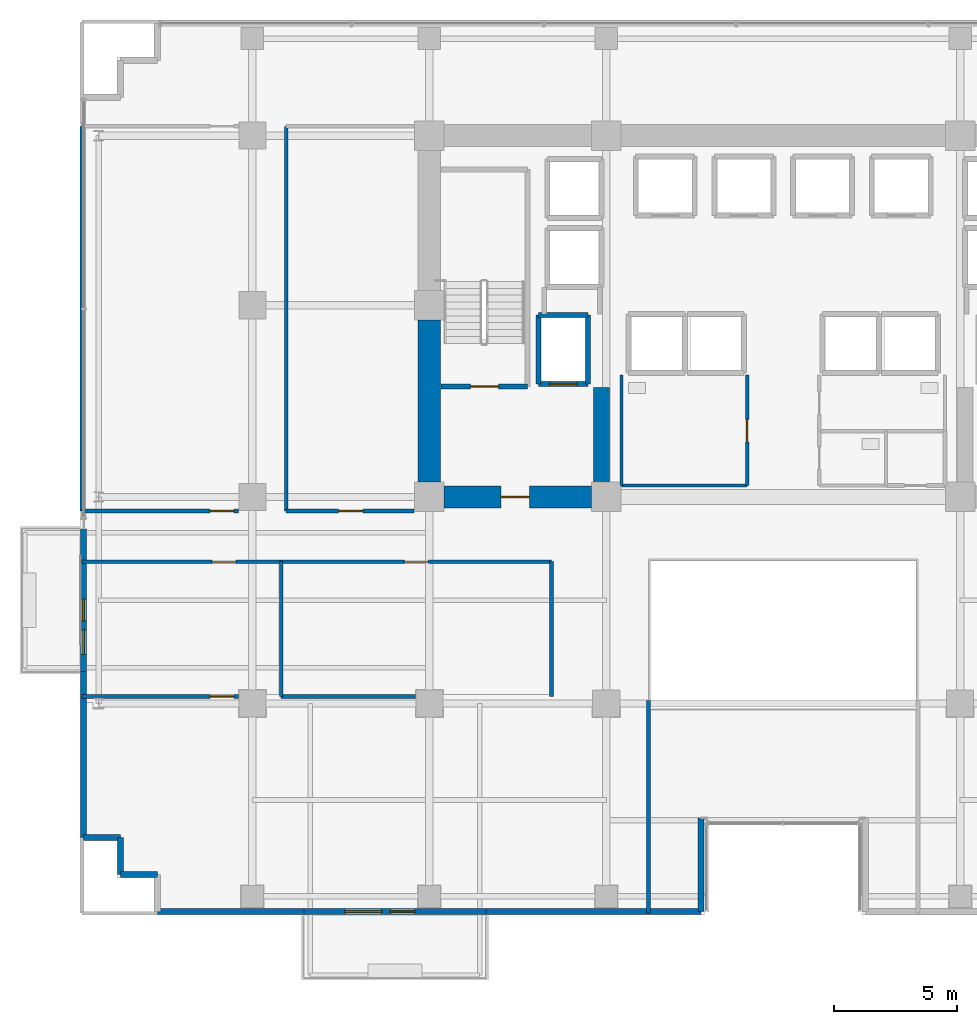
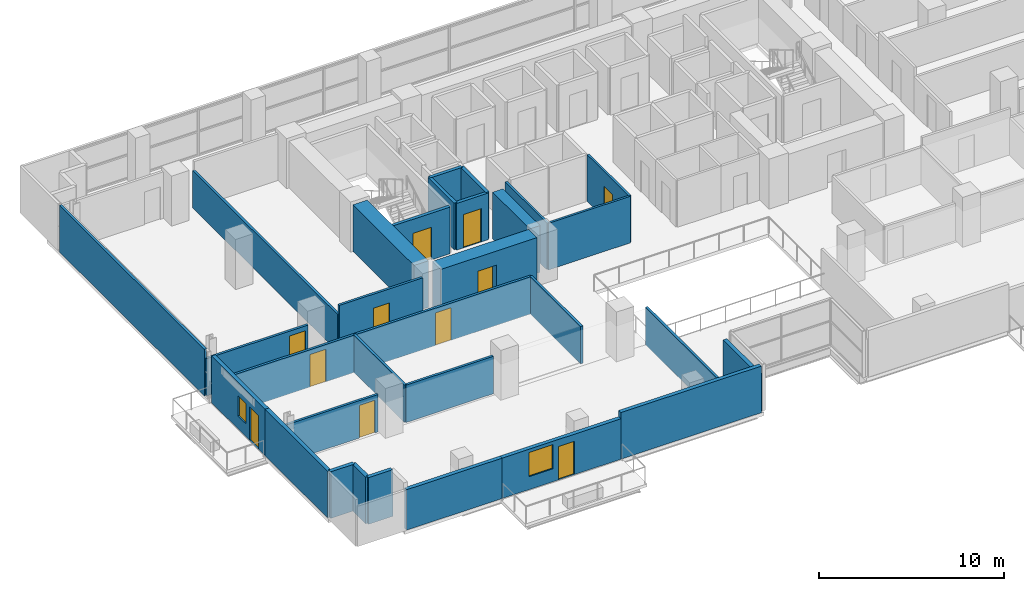
# One storey, part 24 of 32: 31 walls, 11 doors, 2 windows, 13 openings.
"""IFC4 building model written with IfcOpenShell, lengths in metres."""

from ifc_helpers import new_model, si_unit, direction, frame, frame_2d, origin, place, context, subcontext, project, spatial, rectangle, extrude, source, transform, mapped, material, layer, layer_set, type_object, element, fill, save


model = new_model("IFC4")

# Units and contexts
model_context = context("Model", 3, precision=1e-05, world=origin(), true_north=direction((0.0, 1.0)))
body_context = subcontext(model_context, "Body", "Model", "MODEL_VIEW")
ifc_project = project(units=[si_unit("LENGTHUNIT", "METRE"), si_unit("AREAUNIT", "SQUARE_METRE"), si_unit("VOLUMEUNIT", "CUBIC_METRE"), si_unit("PLANEANGLEUNIT", "RADIAN"), si_unit("MASSUNIT", "GRAM", prefix="KILO")], contexts=[model_context])

# Site, building, storey
site_placement = place(None, origin())
site = spatial("IfcSite", under=ifc_project, at=site_placement, CompositionType="ELEMENT")
building_placement = place(site_placement, origin())
building = spatial("IfcBuilding", under=site, at=building_placement, Name="Zarnakvel Exchange Tower", CompositionType="ELEMENT")
storey_placement = place(building_placement, frame((0.0, 0.0, 73.60009765625)))
storey = spatial("IfcBuildingStorey", under=building, at=storey_placement, Name="L20", CompositionType="ELEMENT", Elevation=73.60009765625)

# Wall
ifc_material_1 = material(Name="Concrete C80/95", Category="concrete")
ifc_layer_1 = layer(ifc_material_1, 0.89990234375)
ifc_layer_set_1 = layer_set([ifc_layer_1], Name="Concrete C80/95")
wall_type_1 = type_object("IfcWallType", Name="CW-C1", PredefinedType="SHEAR", material=ifc_layer_set_1)
wall_1_placement = place(storey_placement, frame((-14.39990234375, -0.60009765625, 0.0), z_axis=(0.0, 0.0, 1.0), x_axis=(0.0, 1.0, 0.0)))
element("IfcWall", 1, at=wall_1_placement, inside=storey, type_object=wall_type_1, Name="L20 Rear Core Shear Wall W1 (CW-C1)", PredefinedType="SHEAR", context=body_context, shape_type="SweptSolid", body=[
    extrude(rectangle(XDim=6.60009765625, YDim=0.89990234375, at=frame_2d((3.300048828125, 0.0))), origin(), (0.0, 0.0, 1.0), 3.074951171875),
])

# Wall, opening, door
wall_2_placement = place(storey_placement, frame((-7.800048828125, -1.199951171875, 0.0), z_axis=(0.0, 0.0, 1.0), x_axis=(-1.0, 0.0, 0.0)))
wall_2 = element("IfcWall", 2, at=wall_2_placement, inside=storey, type_object=wall_type_1, Name="L20 Rear Core Shear Wall SW (CW-C1)", PredefinedType="SHEAR", context=body_context, shape_type="SweptSolid", body=[
    extrude(rectangle(XDim=6.0, YDim=0.89990234375, at=frame_2d((3.0, 0.0))), origin(), (0.0, 0.0, 1.0), 3.074951171875),
])
opening_1_placement = place(wall_2_placement, frame((2.52490234375, 0.0, 0.0)))
opening_1 = element("IfcOpeningElement", 3, at=opening_1_placement, cuts=wall_2, Name="Opening D-L20-03", PredefinedType="OPENING", context=body_context, shape_type="SweptSolid", body=[
    extrude(rectangle(XDim=1.14990234375, YDim=2.14990234375, at=frame_2d((0.574951171875, 1.074951171875))), frame((0.0, 0.4599609375, 0.0), z_axis=(0.0, -1.0, 0.0), x_axis=(1.0, 0.0, 0.0)), (0.0, 0.0, 1.0), 0.919921875),
])
ifc_material_2 = material(Name="Painted Galvanised Steel S355", Category="steel")
door_type_1 = type_object("IfcDoorType", Name="DT-04", OperationType="NOTDEFINED", PredefinedType="DOOR", material=ifc_material_2)
shared_shape_1 = source(origin(), body_context, "Body", "SweptSolid", [
    extrude(rectangle(XDim=1.14990234375, YDim=2.14990234375, at=frame_2d((0.574951171875, 1.074951171875))), frame((0.0, 0.02490234375, 0.0), z_axis=(0.0, -1.0, 0.0), x_axis=(1.0, 0.0, 0.0)), (0.0, 0.0, 1.0), 0.050048828125),
])
door_1_placement = place(opening_1_placement, origin())
door_1 = element("IfcDoor", 4, at=door_1_placement, inside=storey, type_object=door_type_1, Name="L20 Firefighting Lobby West Door D-L20-03", OperationType="SINGLE_SWING_LEFT", OverallHeight=2.14990234375, OverallWidth=1.14990234375, PredefinedType="DOOR", context=body_context, shape_type="MappedRepresentation", body=[
    mapped(shared_shape_1, transform((0.0, 0.0, 0.0), x_axis=(1.0, 0.0, 0.0), y_axis=(0.0, 1.0, 0.0), z_axis=(0.0, 0.0, 1.0), scale=1.0)),
])
fill(opening_1, door_1)

# Wall
ifc_layer_2 = layer(ifc_material_1, 0.64990234375)
ifc_layer_set_2 = layer_set([ifc_layer_2], Name="Concrete C80/95")
wall_type_2 = type_object("IfcWallType", Name="CW-C2", PredefinedType="SHEAR", material=ifc_layer_set_2)
wall_3_placement = place(storey_placement, frame((-7.39990234375, -0.75, 0.0), z_axis=(0.0, 0.0, 1.0), x_axis=(0.0, 1.0, 0.0)))
element("IfcWall", 5, at=wall_3_placement, inside=storey, type_object=wall_type_2, Name="L20 Rear Core Shear Wall IW (CW-C2)", PredefinedType="SHEAR", context=body_context, shape_type="SweptSolid", body=[
    extrude(rectangle(XDim=4.0, YDim=0.64990234375, at=frame_2d((2.0, 0.0))), origin(), (0.0, 0.0, 1.0), 3.074951171875),
])

# Wall, openings, door, window
ifc_material_3 = material(Name="Precast concrete C40/50", Category="concrete")
ifc_layer_3 = layer(ifc_material_3, 0.239990234375)
ifc_layer_set_3 = layer_set([ifc_layer_3], Name="Precast concrete C40/50")
wall_type_3 = type_object("IfcWallType", Name="EW-02", PredefinedType="SOLIDWALL", material=ifc_layer_set_3)
wall_4_placement = place(storey_placement, frame((-12.10009765625, -18.06005859375, 0.0), z_axis=(0.0, 0.0, 1.0), x_axis=(-1.0, 0.0, 0.0)))
wall_4 = element("IfcWall", 6, at=wall_4_placement, inside=storey, type_object=wall_type_3, Name="L20 Exterior Precast Spandrel Wall EW-BAL-L20-SW (EW-02)", PredefinedType="SOLIDWALL", context=body_context, shape_type="SweptSolid", body=[
    extrude(rectangle(XDim=7.39990234375, YDim=0.239990234375, at=frame_2d((3.699951171875, 0.0))), origin(), (0.0, 0.0, 1.0), 2.664794921875),
])
opening_2_placement = place(wall_4_placement, frame((2.885986328125, 0.0, 0.0)))
opening_2 = element("IfcOpeningElement", 7, at=opening_2_placement, cuts=wall_4, Name="Opening BD-L20-01", PredefinedType="OPENING", context=body_context, shape_type="SweptSolid", body=[
    extrude(rectangle(XDim=1.0, YDim=2.199951171875, at=frame_2d((0.5, 1.10009765625))), frame((0.0, 0.1298828125, 0.0), z_axis=(0.0, -1.0, 0.0), x_axis=(1.0, 0.0, 0.0)), (0.0, 0.0, 1.0), 0.260009765625),
])
opening_3_placement = place(wall_4_placement, frame((4.236083984375, 0.0, 0.85009765625)))
opening_3 = element("IfcOpeningElement", 8, at=opening_3_placement, cuts=wall_4, Name="Opening WN-03", PredefinedType="OPENING", context=body_context, shape_type="SweptSolid", body=[
    extrude(rectangle(XDim=1.5, YDim=1.60009765625, at=frame_2d((0.75, 0.800048828125))), frame((0.0, 0.1298828125, 0.0), z_axis=(0.0, -1.0, 0.0), x_axis=(1.0, 0.0, 0.0)), (0.0, 0.0, 1.0), 0.260009765625),
])
ifc_material_4 = material(Name="Architectural Bronze Anodised Aluminium", Category="aluminium")
door_type_2 = type_object("IfcDoorType", Name="DT-09", OperationType="NOTDEFINED", PredefinedType="DOOR", material=ifc_material_4)
shared_shape_2 = source(origin(), body_context, "Body", "SweptSolid", [
    extrude(rectangle(XDim=1.0, YDim=2.199951171875, at=frame_2d((0.5, 1.10009765625))), frame((0.0, 0.02490234375, 0.0), z_axis=(0.0, -1.0, 0.0), x_axis=(1.0, 0.0, 0.0)), (0.0, 0.0, 1.0), 0.050048828125),
])
door_2_placement = place(opening_2_placement, origin())
door_2 = element("IfcDoor", 9, at=door_2_placement, inside=storey, type_object=door_type_2, Name="L20 Planted Loggia Balcony Door BD-L20-01", OperationType="SINGLE_SWING_RIGHT", OverallHeight=2.199951171875, OverallWidth=1.0, PredefinedType="DOOR", context=body_context, shape_type="MappedRepresentation", body=[
    mapped(shared_shape_2, transform((0.0, 0.0, 0.0), x_axis=(1.0, 0.0, 0.0), y_axis=(0.0, 1.0, 0.0), z_axis=(0.0, 0.0, 1.0), scale=1.0)),
])
fill(opening_2, door_2)
ifc_material_5 = material(Name="Double Low-E Laminated Vision Glass", Category="glass")
window_type_1 = type_object("IfcWindowType", Name="WN-03", PartitioningType="SINGLE_PANEL", PredefinedType="WINDOW", material=ifc_material_5)
shared_shape_3 = source(origin(), body_context, "Body", "SweptSolid", [
    extrude(rectangle(XDim=1.5, YDim=1.60009765625, at=frame_2d((0.75, 0.800048828125))), frame((0.0, 0.030029296875, 0.0), z_axis=(0.0, -1.0, 0.0), x_axis=(1.0, 0.0, 0.0)), (0.0, 0.0, 1.0), 0.06005859375),
])
window_1_placement = place(opening_3_placement, origin())
window_1 = element("IfcWindow", 10, at=window_1_placement, inside=storey, type_object=window_type_1, Name="L20 Loggia Daylight Window (WN-03)", OverallHeight=1.60009765625, OverallWidth=1.5, PartitioningType="SINGLE_PANEL", PredefinedType="WINDOW", context=body_context, shape_type="MappedRepresentation", body=[
    mapped(shared_shape_3, transform((0.0, 0.0, 0.0), x_axis=(1.0, 0.0, 0.0), y_axis=(0.0, 1.0, 0.0), z_axis=(0.0, 0.0, 1.0), scale=1.0)),
])
fill(opening_3, window_1)

wall_5_placement = place(storey_placement, frame((-28.4599609375, -8.300048828125, 0.0), z_axis=(0.0, 0.0, 1.0), x_axis=(0.0, 1.0, 0.0)))
wall_5 = element("IfcWall", 11, at=wall_5_placement, inside=storey, type_object=wall_type_3, Name="L20 Exterior Precast Spandrel Wall EW-BAL-L20-W (EW-02)", PredefinedType="SOLIDWALL", context=body_context, shape_type="SweptSolid", body=[
    extrude(rectangle(XDim=5.800048828125, YDim=0.239990234375, at=frame_2d((2.89990234375, 0.0))), origin(), (0.0, 0.0, 1.0), 3.074951171875),
])
opening_4_placement = place(wall_5_placement, frame((0.696044921875, 0.0, 0.0)))
opening_4 = element("IfcOpeningElement", 12, at=opening_4_placement, cuts=wall_5, Name="Opening BD-L20-03", PredefinedType="OPENING", context=body_context, shape_type="SweptSolid", body=[
    extrude(rectangle(XDim=1.0, YDim=2.199951171875, at=frame_2d((0.5, 1.10009765625))), frame((0.0, 0.1298828125, 0.0), z_axis=(0.0, -1.0, 0.0), x_axis=(1.0, 0.0, 0.0)), (0.0, 0.0, 1.0), 0.260009765625),
])
opening_5_placement = place(wall_5_placement, frame((2.0458984375, 0.0, 0.85009765625)))
opening_5 = element("IfcOpeningElement", 13, at=opening_5_placement, cuts=wall_5, Name="Opening WN-06", PredefinedType="OPENING", context=body_context, shape_type="SweptSolid", body=[
    extrude(rectangle(XDim=0.89990234375, YDim=1.35009765625, at=frame_2d((0.449951171875, 0.675048828125))), frame((0.0, 0.1298828125, 0.0), z_axis=(0.0, -1.0, 0.0), x_axis=(1.0, 0.0, 0.0)), (0.0, 0.0, 1.0), 0.260009765625),
])
door_3_placement = place(opening_4_placement, origin())
door_3 = element("IfcDoor", 14, at=door_3_placement, inside=storey, type_object=door_type_2, Name="L20 Planted Loggia Balcony Door BD-L20-03", OperationType="SINGLE_SWING_RIGHT", OverallHeight=2.199951171875, OverallWidth=1.0, PredefinedType="DOOR", context=body_context, shape_type="MappedRepresentation", body=[
    mapped(shared_shape_2, transform((0.0, 0.0, 0.0), x_axis=(1.0, 0.0, 0.0), y_axis=(0.0, 1.0, 0.0), z_axis=(0.0, 0.0, 1.0), scale=1.0)),
])
fill(opening_4, door_3)
window_type_2 = type_object("IfcWindowType", Name="WN-06", PartitioningType="SINGLE_PANEL", PredefinedType="WINDOW", material=ifc_material_5)
shared_shape_4 = source(origin(), body_context, "Body", "SweptSolid", [
    extrude(rectangle(XDim=0.89990234375, YDim=1.35009765625, at=frame_2d((0.449951171875, 0.675048828125))), frame((0.0, 0.030029296875, 0.0), z_axis=(0.0, -1.0, 0.0), x_axis=(1.0, 0.0, 0.0)), (0.0, 0.0, 1.0), 0.06005859375),
])
window_2_placement = place(opening_5_placement, origin())
window_2 = element("IfcWindow", 15, at=window_2_placement, inside=storey, type_object=window_type_2, Name="L20 Loggia Daylight Window (WN-06)", OverallHeight=1.35009765625, OverallWidth=0.89990234375, PartitioningType="SINGLE_PANEL", PredefinedType="WINDOW", context=body_context, shape_type="MappedRepresentation", body=[
    mapped(shared_shape_4, transform((0.0, 0.0, 0.0), x_axis=(1.0, 0.0, 0.0), y_axis=(0.0, 1.0, 0.0), z_axis=(0.0, 0.0, 1.0), scale=1.0)),
])
fill(opening_5, window_2)

# Walls
wall_6_placement = place(storey_placement, frame((-28.4599609375, -8.300048828125, 0.0), z_axis=(0.0, 0.0, 1.0), x_axis=(0.0, -1.0, 0.0)))
element("IfcWall", 16, at=wall_6_placement, inside=storey, type_object=wall_type_3, Name="L20 Exterior Precast Spandrel Wall EWC-L20-01 (EW-02)", PredefinedType="SOLIDWALL", context=body_context, shape_type="SweptSolid", body=[
    extrude(rectangle(XDim=6.760009765625, YDim=0.239990234375, at=frame_2d((3.3798828125, 0.0))), origin(), (0.0, 0.0, 1.0), 3.074951171875),
])
wall_7_placement = place(storey_placement, frame((-3.340087890625, -18.06005859375, 0.0), z_axis=(0.0, 0.0, 1.0), x_axis=(0.0, 1.0, 0.0)))
element("IfcWall", 17, at=wall_7_placement, inside=storey, type_object=wall_type_3, Name="L20 Exterior Precast Spandrel Wall EWC-L20-20 (EW-02)", PredefinedType="SOLIDWALL", context=body_context, shape_type="SweptSolid", body=[
    extrude(rectangle(XDim=3.800048828125, YDim=0.239990234375, at=frame_2d((1.89990234375, 0.0))), origin(), (0.0, 0.0, 1.0), 2.46484375),
])
wall_8_placement = place(storey_placement, frame((-12.10009765625, -18.06005859375, 0.0), z_axis=(0.0, 0.0, 1.0), x_axis=(1.0, 0.0, 0.0)))
element("IfcWall", 18, at=wall_8_placement, inside=storey, type_object=wall_type_3, Name="L20 Exterior Precast Spandrel Wall EWC-L20-21 (EW-02)", PredefinedType="SOLIDWALL", context=body_context, shape_type="SweptSolid", body=[
    extrude(rectangle(XDim=8.760009765625, YDim=0.239990234375, at=frame_2d((4.3798828125, 0.0))), origin(), (0.0, 0.0, 1.0), 3.074951171875),
])
wall_9_placement = place(storey_placement, frame((-25.4599609375, -18.06005859375, 0.0), z_axis=(0.0, 0.0, 1.0), x_axis=(1.0, 0.0, 0.0)))
element("IfcWall", 19, at=wall_9_placement, inside=storey, type_object=wall_type_3, Name="L20 Exterior Precast Spandrel Wall EWC-L20-22 (EW-02)", PredefinedType="SOLIDWALL", context=body_context, shape_type="SweptSolid", body=[
    extrude(rectangle(XDim=5.9599609375, YDim=0.239990234375, at=frame_2d((2.97998046875, 0.0))), origin(), (0.0, 0.0, 1.0), 2.664794921875),
])
for number, where, z_axis, x_axis, name in (
    (20, (-26.9599609375, -16.56005859375, 0.0), (0.0, 0.0, 1.0), (1.0, 0.0, 0.0), "L20 Exterior Precast Spandrel Wall EWC-L20-24 (EW-02)"),
    (21, (-26.9599609375, -15.06005859375, 0.0), (0.0, 0.0, 1.0), (0.0, -1.0, 0.0), "L20 Exterior Precast Spandrel Wall EWC-L20-25 (EW-02)"),
    (22, (-28.4599609375, -15.06005859375, 0.0), (0.0, 0.0, 1.0), (1.0, 0.0, 0.0), "L20 Exterior Precast Spandrel Wall EWC-L20-26 (EW-02)"),
):
    element("IfcWall", number, at=place(storey_placement, frame(where, z_axis=z_axis, x_axis=x_axis)), inside=storey, type_object=wall_type_3, Name=name, PredefinedType="SOLIDWALL", context=body_context, shape_type="SweptSolid", body=[
        extrude(rectangle(XDim=1.5, YDim=0.239990234375, at=frame_2d((0.75, 0.0))), origin(), (0.0, 0.0, 1.0), 3.074951171875),
    ])

# Wall, opening, door
ifc_material_6 = material(Name="Fire-Rated Gypsum Stud Partition", Category="gypsum")
ifc_layer_4 = layer(ifc_material_6, 0.14990234375)
ifc_layer_set_4 = layer_set([ifc_layer_4], Name="Fire-Rated Gypsum Stud Partition")
wall_type_4 = type_object("IfcWallType", Name="PT-01", PredefinedType="PARTITIONING", material=ifc_layer_set_4)
wall_10_placement = place(storey_placement, frame((-22.169921875, -9.320068359375, 0.0), z_axis=(0.0, 0.0, 1.0), x_axis=(-1.0, 0.0, 0.0)))
wall_10 = element("IfcWall", 23, at=wall_10_placement, inside=storey, type_object=wall_type_4, Name="L20 Partition Wall PWALL-L20-022 (PT-01)", PredefinedType="PARTITIONING", context=body_context, shape_type="SweptSolid", body=[
    extrude(rectangle(XDim=6.360107421875, YDim=0.14990234375, at=frame_2d((3.18017578125, 0.0))), origin(), (0.0, 0.0, 1.0), 2.46484375),
])
opening_6_placement = place(wall_10_placement, frame((0.179931640625, 0.0, 0.0)))
opening_6 = element("IfcOpeningElement", 24, at=opening_6_placement, cuts=wall_10, Name="Opening D-L20-11", PredefinedType="OPENING", context=body_context, shape_type="SweptSolid", body=[
    extrude(rectangle(XDim=0.97998046875, YDim=2.14990234375, at=frame_2d((0.489990234375, 1.074951171875))), frame((0.0, 0.0849609375, 0.0), z_axis=(0.0, -1.0, 0.0), x_axis=(1.0, 0.0, 0.0)), (0.0, 0.0, 1.0), 0.169921875),
])
ifc_material_7 = material(Name="Timber Acoustic Veneer", Category="wood")
door_type_3 = type_object("IfcDoorType", Name="DT-05", OperationType="NOTDEFINED", PredefinedType="DOOR", material=ifc_material_7)
shared_shape_5 = source(origin(), body_context, "Body", "SweptSolid", [
    extrude(rectangle(XDim=0.97998046875, YDim=2.14990234375, at=frame_2d((0.489990234375, 1.074951171875))), frame((0.0, 0.02490234375, 0.0), z_axis=(0.0, -1.0, 0.0), x_axis=(1.0, 0.0, 0.0)), (0.0, 0.0, 1.0), 0.050048828125),
])
door_4_placement = place(opening_6_placement, origin())
door_4 = element("IfcDoor", 25, at=door_4_placement, inside=storey, type_object=door_type_3, Name="L20 Sovereign Wealth Office Door D-L20-11", OperationType="SINGLE_SWING_LEFT", OverallHeight=2.14990234375, OverallWidth=0.97998046875, PredefinedType="DOOR", context=body_context, shape_type="MappedRepresentation", body=[
    mapped(shared_shape_5, transform((0.0, 0.0, 0.0), x_axis=(1.0, 0.0, 0.0), y_axis=(0.0, 1.0, 0.0), z_axis=(0.0, 0.0, 1.0), scale=1.0)),
])
fill(opening_6, door_4)

wall_11_placement = place(storey_placement, frame((-28.530029296875, -3.830078125, 0.0), z_axis=(0.0, 0.0, 1.0), x_axis=(1.0, 0.0, 0.0)))
wall_11 = element("IfcWall", 26, at=wall_11_placement, inside=storey, type_object=wall_type_4, Name="L20 Partition Wall PWALL-L20-023 (PT-01)", PredefinedType="PARTITIONING", context=body_context, shape_type="SweptSolid", body=[
    extrude(rectangle(XDim=8.10546875, YDim=0.14990234375, at=frame_2d((4.052734375, 0.0))), origin(), (0.0, 0.0, 1.0), 2.46484375),
])
opening_7_placement = place(wall_11_placement, frame((5.2880859375, 0.0, 0.0)))
opening_7 = element("IfcOpeningElement", 27, at=opening_7_placement, cuts=wall_11, Name="Opening D-L20-09", PredefinedType="OPENING", context=body_context, shape_type="SweptSolid", body=[
    extrude(rectangle(XDim=0.97998046875, YDim=2.14990234375, at=frame_2d((0.489990234375, 1.074951171875))), frame((0.0, 0.0849609375, 0.0), z_axis=(0.0, -1.0, 0.0), x_axis=(1.0, 0.0, 0.0)), (0.0, 0.0, 1.0), 0.169921875),
])
door_5_placement = place(opening_7_placement, origin())
door_5 = element("IfcDoor", 28, at=door_5_placement, inside=storey, type_object=door_type_3, Name="L20 Sovereign Wealth Office Door D-L20-09", OperationType="SINGLE_SWING_LEFT", OverallHeight=2.14990234375, OverallWidth=0.97998046875, PredefinedType="DOOR", context=body_context, shape_type="MappedRepresentation", body=[
    mapped(shared_shape_5, transform((0.0, 0.0, 0.0), x_axis=(1.0, 0.0, 0.0), y_axis=(0.0, 1.0, 0.0), z_axis=(0.0, 0.0, 1.0), scale=1.0)),
])
fill(opening_7, door_5)

# Walls
wall_12_placement = place(storey_placement, frame((-20.424560546875, -3.830078125, 0.0), z_axis=(0.0, 0.0, 1.0), x_axis=(0.0, -1.0, 0.0)))
element("IfcWall", 29, at=wall_12_placement, inside=storey, type_object=wall_type_4, Name="L20 Partition Wall PWALL-L20-025 (PT-01)", PredefinedType="PARTITIONING", context=body_context, shape_type="SweptSolid", body=[
    extrude(rectangle(XDim=5.489990234375, YDim=0.14990234375, at=frame_2d((2.7451171875, 0.0))), origin(), (0.0, 0.0, 1.0), 2.46484375),
])
wall_13_placement = place(storey_placement, frame((-14.969970703125, -9.320068359375, 0.0), z_axis=(0.0, 0.0, 1.0), x_axis=(-1.0, 0.0, 0.0)))
element("IfcWall", 30, at=wall_13_placement, inside=storey, type_object=wall_type_4, Name="L20 Partition Wall PWALL-L20-026 (PT-01)", PredefinedType="PARTITIONING", context=body_context, shape_type="SweptSolid", body=[
    extrude(rectangle(XDim=5.45458984375, YDim=0.14990234375, at=frame_2d((2.727294921875, 0.0))), origin(), (0.0, 0.0, 1.0), 2.46484375),
])

# Wall, opening, door
wall_14_placement = place(storey_placement, frame((-20.424560546875, -3.830078125, 0.0), z_axis=(0.0, 0.0, 1.0), x_axis=(1.0, 0.0, 0.0)))
wall_14 = element("IfcWall", 31, at=wall_14_placement, inside=storey, type_object=wall_type_4, Name="L20 Partition Wall PWALL-L20-027 (PT-01)", PredefinedType="PARTITIONING", context=body_context, shape_type="SweptSolid", body=[
    extrude(rectangle(XDim=10.99462890625, YDim=0.14990234375, at=frame_2d((5.497314453125, 0.0))), origin(), (0.0, 0.0, 1.0), 2.46484375),
])
opening_8_placement = place(wall_14_placement, frame((5.007568359375, 0.0, 0.0)))
opening_8 = element("IfcOpeningElement", 32, at=opening_8_placement, cuts=wall_14, Name="Opening D-L20-10", PredefinedType="OPENING", context=body_context, shape_type="SweptSolid", body=[
    extrude(rectangle(XDim=0.97998046875, YDim=2.14990234375, at=frame_2d((0.489990234375, 1.074951171875))), frame((0.0, 0.0849609375, 0.0), z_axis=(0.0, -1.0, 0.0), x_axis=(1.0, 0.0, 0.0)), (0.0, 0.0, 1.0), 0.169921875),
])
door_6_placement = place(opening_8_placement, origin())
door_6 = element("IfcDoor", 33, at=door_6_placement, inside=storey, type_object=door_type_3, Name="L20 Corporate Advisory Suite Door D-L20-10", OperationType="SINGLE_SWING_RIGHT", OverallHeight=2.14990234375, OverallWidth=0.97998046875, PredefinedType="DOOR", context=body_context, shape_type="MappedRepresentation", body=[
    mapped(shared_shape_5, transform((0.0, 0.0, 0.0), x_axis=(1.0, 0.0, 0.0), y_axis=(0.0, 1.0, 0.0), z_axis=(0.0, 0.0, 1.0), scale=1.0)),
])
fill(opening_8, door_6)

# Walls
wall_15_placement = place(storey_placement, frame((-9.429931640625, -3.830078125, 0.0), z_axis=(0.0, 0.0, 1.0), x_axis=(0.0, -1.0, 0.0)))
element("IfcWall", 34, at=wall_15_placement, inside=storey, type_object=wall_type_4, Name="L20 Partition Wall PWALL-L20-028 (PT-01)", PredefinedType="PARTITIONING", context=body_context, shape_type="SweptSolid", body=[
    extrude(rectangle(XDim=5.489990234375, YDim=0.14990234375, at=frame_2d((2.7451171875, 0.0))), origin(), (0.0, 0.0, 1.0), 2.46484375),
])
wall_16_placement = place(storey_placement, frame((-5.47998046875, -9.47998046875, 0.0), z_axis=(0.0, 0.0, 1.0), x_axis=(0.0, -1.0, 0.0)))
element("IfcWall", 35, at=wall_16_placement, inside=storey, type_object=wall_type_4, Name="L20 Partition Wall PWALL-L20-031 (PT-01)", PredefinedType="PARTITIONING", context=body_context, shape_type="SweptSolid", body=[
    extrude(rectangle(XDim=8.64990234375, YDim=0.14990234375, at=frame_2d((4.324951171875, 0.0))), origin(), (0.0, 0.0, 1.0), 2.46484375),
])

# Wall, opening, door
wall_17_placement = place(storey_placement, frame((-22.169921875, -1.77001953125, 0.0), z_axis=(0.0, 0.0, 1.0), x_axis=(-1.0, 0.0, 0.0)))
wall_17 = element("IfcWall", 36, at=wall_17_placement, inside=storey, type_object=wall_type_4, Name="L20 Partition Wall PWALL-L20-045 (PT-01)", PredefinedType="PARTITIONING", context=body_context, shape_type="SweptSolid", body=[
    extrude(rectangle(XDim=6.360107421875, YDim=0.14990234375, at=frame_2d((3.18017578125, 0.0))), origin(), (0.0, 0.0, 1.0), 2.46484375),
])
opening_9_placement = place(wall_17_placement, frame((0.179931640625, 0.0, 0.0)))
opening_9 = element("IfcOpeningElement", 37, at=opening_9_placement, cuts=wall_17, Name="Opening D-L20-16", PredefinedType="OPENING", context=body_context, shape_type="SweptSolid", body=[
    extrude(rectangle(XDim=0.97998046875, YDim=2.14990234375, at=frame_2d((0.489990234375, 1.074951171875))), frame((0.0, 0.0849609375, 0.0), z_axis=(0.0, -1.0, 0.0), x_axis=(1.0, 0.0, 0.0)), (0.0, 0.0, 1.0), 0.169921875),
])
door_7_placement = place(opening_9_placement, origin())
door_7 = element("IfcDoor", 38, at=door_7_placement, inside=storey, type_object=door_type_3, Name="L20 Conference Room Door D-L20-16", OperationType="SINGLE_SWING_RIGHT", OverallHeight=2.14990234375, OverallWidth=0.97998046875, PredefinedType="DOOR", context=body_context, shape_type="MappedRepresentation", body=[
    mapped(shared_shape_5, transform((0.0, 0.0, 0.0), x_axis=(1.0, 0.0, 0.0), y_axis=(0.0, 1.0, 0.0), z_axis=(0.0, 0.0, 1.0), scale=1.0)),
])
fill(opening_9, door_7)

# Walls
wall_18_placement = place(storey_placement, frame((-28.530029296875, -1.77001953125, 0.0), z_axis=(0.0, 0.0, 1.0), x_axis=(0.0, 1.0, 0.0)))
element("IfcWall", 39, at=wall_18_placement, inside=storey, type_object=wall_type_4, Name="L20 Partition Wall PWALL-L20-047 (PT-01)", PredefinedType="PARTITIONING", context=body_context, shape_type="SweptSolid", body=[
    extrude(rectangle(XDim=15.64990234375, YDim=0.14990234375, at=frame_2d((7.824951171875, 0.0))), origin(), (0.0, 0.0, 1.0), 3.074951171875),
])
wall_19_placement = place(storey_placement, frame((-20.222412109375, 13.8798828125, 0.0), z_axis=(0.0, 0.0, 1.0), x_axis=(0.0, -1.0, 0.0)))
element("IfcWall", 40, at=wall_19_placement, inside=storey, type_object=wall_type_4, Name="L20 Partition Wall PWALL-L20-048 (PT-01)", PredefinedType="PARTITIONING", context=body_context, shape_type="SweptSolid", body=[
    extrude(rectangle(XDim=15.64990234375, YDim=0.14990234375, at=frame_2d((7.824951171875, 0.0))), origin(), (0.0, 0.0, 1.0), 2.46484375),
])

# Wall, opening, door
wall_20_placement = place(storey_placement, frame((-15.02001953125, -1.77001953125, 0.0), z_axis=(0.0, 0.0, 1.0), x_axis=(-1.0, 0.0, 0.0)))
wall_20 = element("IfcWall", 41, at=wall_20_placement, inside=storey, type_object=wall_type_4, Name="L20 Partition Wall PWALL-L20-049 (PT-01)", PredefinedType="PARTITIONING", context=body_context, shape_type="SweptSolid", body=[
    extrude(rectangle(XDim=5.202392578125, YDim=0.14990234375, at=frame_2d((2.60107421875, 0.0))), origin(), (0.0, 0.0, 1.0), 3.074951171875),
])
opening_10_placement = place(wall_20_placement, frame((2.0859375, 0.0, 0.0)))
opening_10 = element("IfcOpeningElement", 42, at=opening_10_placement, cuts=wall_20, Name="Opening D-L20-17", PredefinedType="OPENING", context=body_context, shape_type="SweptSolid", body=[
    extrude(rectangle(XDim=0.97998046875, YDim=2.14990234375, at=frame_2d((0.489990234375, 1.074951171875))), frame((0.0, 0.0849609375, 0.0), z_axis=(0.0, -1.0, 0.0), x_axis=(1.0, 0.0, 0.0)), (0.0, 0.0, 1.0), 0.169921875),
])
door_8_placement = place(opening_10_placement, origin())
door_8 = element("IfcDoor", 43, at=door_8_placement, inside=storey, type_object=door_type_3, Name="L20 Executive Pantry Door D-L20-17", OperationType="SINGLE_SWING_LEFT", OverallHeight=2.14990234375, OverallWidth=0.97998046875, PredefinedType="DOOR", context=body_context, shape_type="MappedRepresentation", body=[
    mapped(shared_shape_5, transform((0.0, 0.0, 0.0), x_axis=(1.0, 0.0, 0.0), y_axis=(0.0, 1.0, 0.0), z_axis=(0.0, 0.0, 1.0), scale=1.0)),
])
fill(opening_10, door_8)

# Walls
ifc_material_8 = material(Name="Moisture-Resistant Tile-Faced Partition", Category="gypsum")
ifc_layer_5 = layer(ifc_material_8, 0.135009765625)
ifc_layer_set_5 = layer_set([ifc_layer_5], Name="Moisture-Resistant Tile-Faced Partition")
wall_type_5 = type_object("IfcWallType", Name="PT-03", PredefinedType="PARTITIONING", material=ifc_layer_set_5)
wall_21_placement = place(storey_placement, frame((-1.469970703125, -0.72998046875, 0.0), z_axis=(0.0, 0.0, 1.0), x_axis=(-1.0, 0.0, 0.0)))
element("IfcWall", 44, at=wall_21_placement, inside=storey, type_object=wall_type_5, Name="L20 Partition Wall PWALL-L20-011 (PT-03)", PredefinedType="PARTITIONING", context=body_context, shape_type="SweptSolid", body=[
    extrude(rectangle(XDim=5.110107421875, YDim=0.135009765625, at=frame_2d((2.55517578125, 0.0))), origin(), (0.0, 0.0, 1.0), 3.074951171875),
])
wall_22_placement = place(storey_placement, frame((-6.580078125, -0.72998046875, 0.0), z_axis=(0.0, 0.0, 1.0), x_axis=(0.0, 1.0, 0.0)))
element("IfcWall", 45, at=wall_22_placement, inside=storey, type_object=wall_type_5, Name="L20 Partition Wall PWALL-L20-012 (PT-03)", PredefinedType="PARTITIONING", context=body_context, shape_type="SweptSolid", body=[
    extrude(rectangle(XDim=4.489990234375, YDim=0.135009765625, at=frame_2d((2.2451171875, 0.0))), origin(), (0.0, 0.0, 1.0), 3.074951171875),
])

# Wall, opening, door
wall_23_placement = place(storey_placement, frame((-1.469970703125, 3.760009765625, 0.0), z_axis=(0.0, 0.0, 1.0), x_axis=(0.0, -1.0, 0.0)))
wall_23 = element("IfcWall", 46, at=wall_23_placement, inside=storey, type_object=wall_type_5, Name="L20 Partition Wall PWALL-L20-013 (PT-03)", PredefinedType="PARTITIONING", context=body_context, shape_type="SweptSolid", body=[
    extrude(rectangle(XDim=4.489990234375, YDim=0.135009765625, at=frame_2d((2.2451171875, 0.0))), origin(), (0.0, 0.0, 1.0), 3.074951171875),
])
opening_11_placement = place(wall_23_placement, frame((1.800048828125, 0.0, 0.0)))
opening_11 = element("IfcOpeningElement", 47, at=opening_11_placement, cuts=wall_23, Name="Opening D-L20-05", PredefinedType="OPENING", context=body_context, shape_type="SweptSolid", body=[
    extrude(rectangle(XDim=0.919921875, YDim=2.10009765625, at=frame_2d((0.4599609375, 1.050048828125))), frame((0.0, 0.077392578125, 0.0), z_axis=(0.0, -1.0, 0.0), x_axis=(1.0, 0.0, 0.0)), (0.0, 0.0, 1.0), 0.155029296875),
])
ifc_material_9 = material(Name="Moisture-Resistant Laminate Timber", Category="wood")
door_type_4 = type_object("IfcDoorType", Name="DT-07", OperationType="NOTDEFINED", PredefinedType="DOOR", material=ifc_material_9)
shared_shape_6 = source(origin(), body_context, "Body", "SweptSolid", [
    extrude(rectangle(XDim=0.919921875, YDim=2.10009765625, at=frame_2d((0.4599609375, 1.050048828125))), frame((0.0, 0.02490234375, 0.0), z_axis=(0.0, -1.0, 0.0), x_axis=(1.0, 0.0, 0.0)), (0.0, 0.0, 1.0), 0.050048828125),
])
door_9_placement = place(opening_11_placement, origin())
door_9 = element("IfcDoor", 48, at=door_9_placement, inside=storey, type_object=door_type_4, Name="L20 Male Toilet Door D-L20-05", OperationType="SINGLE_SWING_LEFT", OverallHeight=2.10009765625, OverallWidth=0.919921875, PredefinedType="DOOR", context=body_context, shape_type="MappedRepresentation", body=[
    mapped(shared_shape_6, transform((0.0, 0.0, 0.0), x_axis=(1.0, 0.0, 0.0), y_axis=(0.0, 1.0, 0.0), z_axis=(0.0, 0.0, 1.0), scale=1.0)),
])
fill(opening_11, door_9)

ifc_material_10 = material(Name="Concrete C40/50", Category="concrete")
ifc_layer_6 = layer(ifc_material_10, 0.199951171875)
ifc_layer_set_6 = layer_set([ifc_layer_6], Name="Concrete C40/50")
wall_type_6 = type_object("IfcWallType", Name="SW-01", PredefinedType="SOLIDWALL", material=ifc_layer_set_6)
wall_24_placement = place(storey_placement, frame((-7.949951171875, 3.39990234375, 0.0), z_axis=(0.0, 0.0, 1.0), x_axis=(-1.0, 0.0, 0.0)))
wall_24 = element("IfcWall", 49, at=wall_24_placement, inside=storey, type_object=wall_type_6, Name="L20 FL-01 Hoistway Wall South", PredefinedType="SOLIDWALL", context=body_context, shape_type="SweptSolid", body=[
    extrude(rectangle(XDim=2.0, YDim=0.199951171875, at=frame_2d((1.0, 0.0))), origin(), (0.0, 0.0, 1.0), 3.074951171875),
])
opening_12_placement = place(wall_24_placement, frame((0.449951171875, 0.0, 0.0)))
opening_12 = element("IfcOpeningElement", 50, at=opening_12_placement, cuts=wall_24, Name="Opening LD-FL-01-L20", PredefinedType="OPENING", context=body_context, shape_type="SweptSolid", body=[
    extrude(rectangle(XDim=1.10009765625, YDim=2.199951171875, at=frame_2d((0.550048828125, 1.10009765625))), frame((0.0, 0.10986328125, 0.0), z_axis=(0.0, -1.0, 0.0), x_axis=(1.0, 0.0, 0.0)), (0.0, 0.0, 1.0), 0.219970703125),
])
ifc_material_11 = material(Name="Brushed Stainless Steel", Category="steel")
door_type_5 = type_object("IfcDoorType", Name="LDT-01", OperationType="NOTDEFINED", PredefinedType="DOOR", material=ifc_material_11)
shared_shape_7 = source(origin(), body_context, "Body", "SweptSolid", [
    extrude(rectangle(XDim=1.10009765625, YDim=2.199951171875, at=frame_2d((0.550048828125, 1.10009765625))), frame((0.0, 0.02490234375, 0.0), z_axis=(0.0, -1.0, 0.0), x_axis=(1.0, 0.0, 0.0)), (0.0, 0.0, 1.0), 0.050048828125),
])
door_10_placement = place(opening_12_placement, origin())
door_10 = element("IfcDoor", 51, at=door_10_placement, inside=storey, type_object=door_type_5, Name="L20 FL-01 Lift Landing Door LD-FL-01-L20", OperationType="DOUBLE_DOOR_SLIDING", OverallHeight=2.199951171875, OverallWidth=1.10009765625, PredefinedType="DOOR", context=body_context, shape_type="MappedRepresentation", body=[
    mapped(shared_shape_7, transform((0.0, 0.0, 0.0), x_axis=(1.0, 0.0, 0.0), y_axis=(0.0, 1.0, 0.0), z_axis=(0.0, 0.0, 1.0), scale=1.0)),
])
fill(opening_12, door_10)

# Walls
wall_25_placement = place(storey_placement, frame((-9.949951171875, 6.199951171875, 0.0), z_axis=(0.0, 0.0, 1.0), x_axis=(1.0, 0.0, 0.0)))
element("IfcWall", 52, at=wall_25_placement, inside=storey, type_object=wall_type_6, Name="L20 FL-01 Hoistway Wall North", PredefinedType="SOLIDWALL", context=body_context, shape_type="SweptSolid", body=[
    extrude(rectangle(XDim=2.0, YDim=0.199951171875, at=frame_2d((1.0, 0.0))), origin(), (0.0, 0.0, 1.0), 3.074951171875),
])
for number, where, z_axis, x_axis, name in (
    (53, (-9.949951171875, 3.39990234375, 0.0), (0.0, 0.0, 1.0), (0.0, 1.0, 0.0), "L20 FL-01 Hoistway Wall West"),
    (54, (-7.949951171875, 6.199951171875, 0.0), (0.0, 0.0, 1.0), (0.0, -1.0, 0.0), "L20 FL-01 Hoistway Wall East"),
):
    element("IfcWall", number, at=place(storey_placement, frame(where, z_axis=z_axis, x_axis=x_axis)), inside=storey, type_object=wall_type_6, Name=name, PredefinedType="SOLIDWALL", context=body_context, shape_type="SweptSolid", body=[
        extrude(rectangle(XDim=2.800048828125, YDim=0.199951171875, at=frame_2d((1.39990234375, 0.0))), origin(), (0.0, 0.0, 1.0), 3.074951171875),
    ])

# Wall, opening, door
ifc_layer_7 = layer(ifc_material_10, 0.199951171875)
ifc_layer_set_7 = layer_set([ifc_layer_7], Name="Concrete C40/50")
wall_type_7 = type_object("IfcWallType", Name="SW-02", PredefinedType="SOLIDWALL", material=ifc_layer_set_7)
wall_26_placement = place(storey_placement, frame((-10.409912109375, 3.2900390625, 0.0), z_axis=(0.0, 0.0, 1.0), x_axis=(-1.0, 0.0, 0.0)))
wall_26 = element("IfcWall", 55, at=wall_26_placement, inside=storey, type_object=wall_type_7, Name="L20 Stairwell Core Wall PWALL-L20-001 (SW-02)", PredefinedType="SOLIDWALL", context=body_context, shape_type="SweptSolid", body=[
    extrude(rectangle(XDim=3.52001953125, YDim=0.199951171875, at=frame_2d((1.760009765625, 0.0))), origin(), (0.0, 0.0, 1.0), 3.074951171875),
])
opening_13_placement = place(wall_26_placement, frame((1.1650390625, 0.0, 0.0)))
opening_13 = element("IfcOpeningElement", 56, at=opening_13_placement, cuts=wall_26, Name="Opening D-L20-01", PredefinedType="OPENING", context=body_context, shape_type="SweptSolid", body=[
    extrude(rectangle(XDim=1.14990234375, YDim=2.14990234375, at=frame_2d((0.574951171875, 1.074951171875))), frame((0.0, 0.10986328125, 0.0), z_axis=(0.0, -1.0, 0.0), x_axis=(1.0, 0.0, 0.0)), (0.0, 0.0, 1.0), 0.219970703125),
])
door_11_placement = place(opening_13_placement, origin())
door_11 = element("IfcDoor", 57, at=door_11_placement, inside=storey, type_object=door_type_1, Name="L20 Stairwell ST-01 Door D-L20-01", OperationType="SINGLE_SWING_LEFT", OverallHeight=2.14990234375, OverallWidth=1.14990234375, PredefinedType="DOOR", context=body_context, shape_type="MappedRepresentation", body=[
    mapped(shared_shape_1, transform((0.0, 0.0, 0.0), x_axis=(1.0, 0.0, 0.0), y_axis=(0.0, 1.0, 0.0), z_axis=(0.0, 0.0, 1.0), scale=1.0)),
])
fill(opening_13, door_11)

save(model, "model.ifc")
